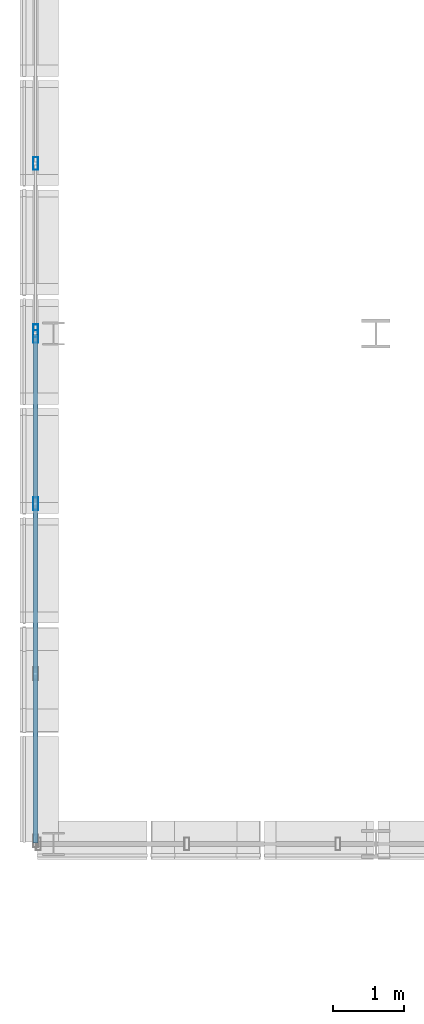
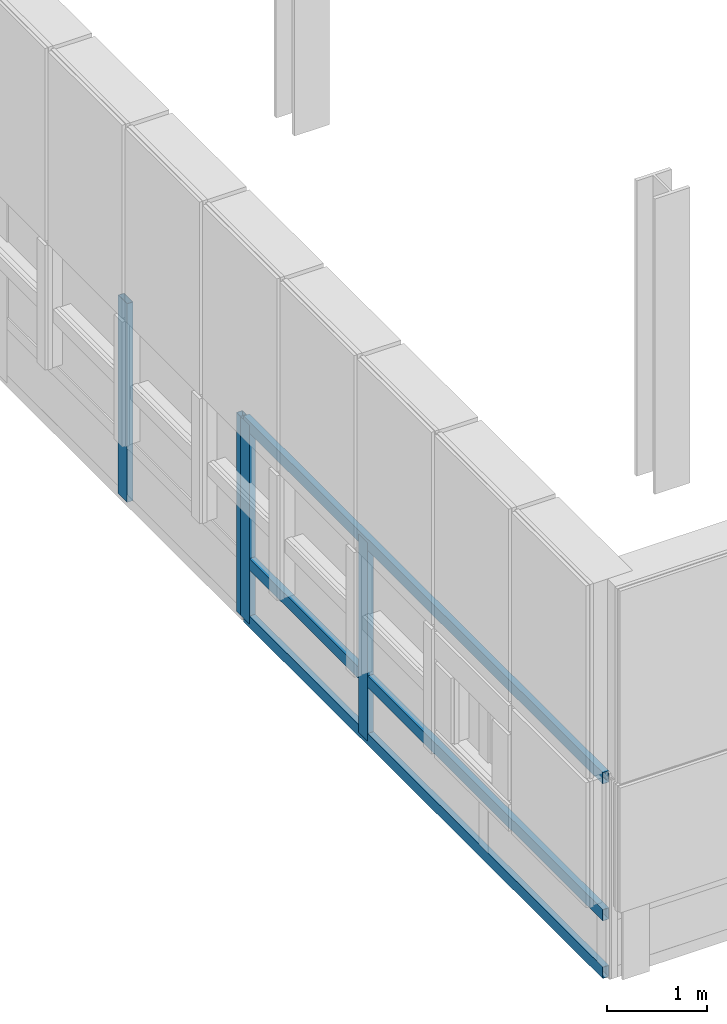
# One storey, part 11 of 96: 7 members, 2 elements without a shape of their own.
"""IFC4 building model written with IfcOpenShell, lengths in metres."""

from ifc_helpers import new_model, si_unit, direction, frame, origin, origin_2d, place, context, subcontext, project, spatial, hollow_rectangle, extrude, material, material_profile, profile_set, type_object, element, aggregate, save


model = new_model("IFC4")

# Units and contexts
model_context = context("Model", 3, precision=1e-05, world=origin(), true_north=direction((0.0, 1.0)))
body_context = subcontext(model_context, "Body", "Model", "MODEL_VIEW")
ifc_project = project(units=[si_unit("LENGTHUNIT", "METRE"), si_unit("AREAUNIT", "SQUARE_METRE"), si_unit("VOLUMEUNIT", "CUBIC_METRE"), si_unit("PLANEANGLEUNIT", "RADIAN"), si_unit("MASSUNIT", "GRAM", prefix="KILO")], contexts=[model_context])

# Site, building, storey
site_placement = place(None, origin())
site = spatial("IfcSite", under=ifc_project, at=site_placement, CompositionType="ELEMENT")
building_placement = place(site_placement, origin())
building = spatial("IfcBuilding", under=site, at=building_placement, Name="Yarey Park Central Fire Station", CompositionType="ELEMENT")
storey_placement = place(building_placement, frame((0.0, 0.0, 14.39990234375)))
storey = spatial("IfcBuildingStorey", under=building, at=storey_placement, Name="L04", CompositionType="ELEMENT", Elevation=14.39990234375)

# Curtain wall, members
ifc_material = material(Name="Anodized Aluminium Frame", Category="aluminium")
curtain_wall_type = type_object("IfcCurtainWallType", Name="ENV_CW_V3_OVR2", PredefinedType="NOTDEFINED", material=ifc_material)
curtain_wall_1_placement = place(storey_placement, origin())
curtain_wall_1 = element("IfcCurtainWall", 1, at=curtain_wall_1_placement, inside=storey, type_object=curtain_wall_type, Name="CW_L04_DRUM_W_068", PredefinedType="NOTDEFINED")
ifc_material_profile_1 = material_profile(ifc_material, hollow_rectangle(XDim=0.070068359375, YDim=0.179931640625, WallThickness=0.00390625, at=origin_2d()), Name="ALU 180x70x4")
ifc_profile_set_1 = profile_set([ifc_material_profile_1], Name="Anodized Aluminium Frame")
member_type_1 = type_object("IfcMemberType", Name="ENV_CW_MULLION", PredefinedType="MULLION", material=ifc_profile_set_1)
member_1_placement = place(storey_placement, frame((9.60009765625, 28.760009765625, 0.0), z_axis=(0.0, 0.0, 1.0), x_axis=(1.0, 0.0, 0.0)))
member_1 = element("IfcMember", 2, at=member_1_placement, type_object=member_type_1, Name="CW_L04_DRUM_W_068_MUL1", PredefinedType="MULLION", context=body_context, shape_type="SweptSolid", body=[
    extrude(hollow_rectangle(XDim=0.070068359375, YDim=0.179931640625, WallThickness=0.00390625, at=origin_2d()), origin(), (0.0, 0.0, 1.0), 2.420166015625),
])
member_2_placement = place(storey_placement, frame((9.60009765625, 26.39990234375, 0.0), z_axis=(0.0, 0.0, 1.0), x_axis=(1.0, 0.0, 0.0)))
member_2 = element("IfcMember", 3, at=member_2_placement, type_object=member_type_1, Name="CW_L04_DRUM_W_068_MUL2", PredefinedType="MULLION", context=body_context, shape_type="SweptSolid", body=[
    extrude(hollow_rectangle(XDim=0.070068359375, YDim=0.179931640625, WallThickness=0.00390625, at=origin_2d()), origin(), (0.0, 0.0, 1.0), 2.420166015625),
])

curtain_wall_2_placement = place(storey_placement, origin())
curtain_wall_2 = element("IfcCurtainWall", 4, at=curtain_wall_2_placement, inside=storey, type_object=curtain_wall_type, Name="CW_L04_DRUM_W_069", PredefinedType="NOTDEFINED")
member_3_placement = place(storey_placement, frame((9.60009765625, 31.199951171875, 0.0), z_axis=(0.0, 0.0, 1.0), x_axis=(1.0, 0.0, 0.0)))
member_3 = element("IfcMember", 5, at=member_3_placement, type_object=member_type_1, Name="CW_L04_DRUM_W_069_MUL3", PredefinedType="MULLION", context=body_context, shape_type="SweptSolid", body=[
    extrude(hollow_rectangle(XDim=0.070068359375, YDim=0.179931640625, WallThickness=0.00390625, at=origin_2d()), origin(), (0.0, 0.0, 1.0), 2.420166015625),
])
member_4_placement = place(storey_placement, frame((9.60009765625, 28.840087890625, 0.0), z_axis=(0.0, 0.0, 1.0), x_axis=(1.0, 0.0, 0.0)))
member_4 = element("IfcMember", 6, at=member_4_placement, type_object=member_type_1, Name="CW_L04_DRUM_W_069_MUL4", PredefinedType="MULLION", context=body_context, shape_type="SweptSolid", body=[
    extrude(hollow_rectangle(XDim=0.070068359375, YDim=0.179931640625, WallThickness=0.00390625, at=origin_2d()), origin(), (0.0, 0.0, 1.0), 2.420166015625),
])
aggregate(curtain_wall_2, [member_3, member_4])

# Member
ifc_material_profile_2 = material_profile(ifc_material, hollow_rectangle(XDim=0.070068359375, YDim=0.139892578125, WallThickness=0.00390625, at=origin_2d()), Name="ALU 140x70x4")
ifc_profile_set_2 = profile_set([ifc_material_profile_2], Name="Anodized Aluminium Frame")
member_type_2 = type_object("IfcMemberType", Name="ENV_CW_TRANSOM", PredefinedType="USERDEFINED", material=ifc_profile_set_2)
member_5_placement = place(storey_placement, frame((9.60009765625, 28.784912109375, 0.025146484375), z_axis=(0.0, -1.0, 0.0), x_axis=(1.0, 0.0, 0.0)))
member_5 = element("IfcMember", 7, at=member_5_placement, type_object=member_type_2, Name="CW_L04_DRUM_W_068_TRN1", ObjectType="TRANSOM", PredefinedType="USERDEFINED", context=body_context, shape_type="SweptSolid", body=[
    extrude(hollow_rectangle(XDim=0.070068359375, YDim=0.139892578125, WallThickness=0.00390625, at=origin_2d()), origin(), (0.0, 0.0, 1.0), 7.169921875),
])

member_6_placement = place(storey_placement, frame((9.60009765625, 28.784912109375, 0.72607421875), z_axis=(0.0, -1.0, 0.0), x_axis=(1.0, 0.0, 0.0)))
member_6 = element("IfcMember", 8, at=member_6_placement, type_object=member_type_2, Name="CW_L04_DRUM_W_068_TRN2", ObjectType="TRANSOM", PredefinedType="USERDEFINED", context=body_context, shape_type="SweptSolid", body=[
    extrude(hollow_rectangle(XDim=0.070068359375, YDim=0.139892578125, WallThickness=0.00390625, at=origin_2d()), origin(), (0.0, 0.0, 1.0), 7.169921875),
])

member_7_placement = place(storey_placement, frame((9.60009765625, 28.784912109375, 2.39501953125), z_axis=(0.0, -1.0, 0.0), x_axis=(1.0, 0.0, 0.0)))
member_7 = element("IfcMember", 9, at=member_7_placement, type_object=member_type_2, Name="CW_L04_DRUM_W_068_TRN3", ObjectType="TRANSOM", PredefinedType="USERDEFINED", context=body_context, shape_type="SweptSolid", body=[
    extrude(hollow_rectangle(XDim=0.070068359375, YDim=0.139892578125, WallThickness=0.00390625, at=origin_2d()), origin(), (0.0, 0.0, 1.0), 7.169921875),
])

aggregate(curtain_wall_1, [member_1, member_2, member_5, member_6, member_7])

save(model, "model.ifc")
